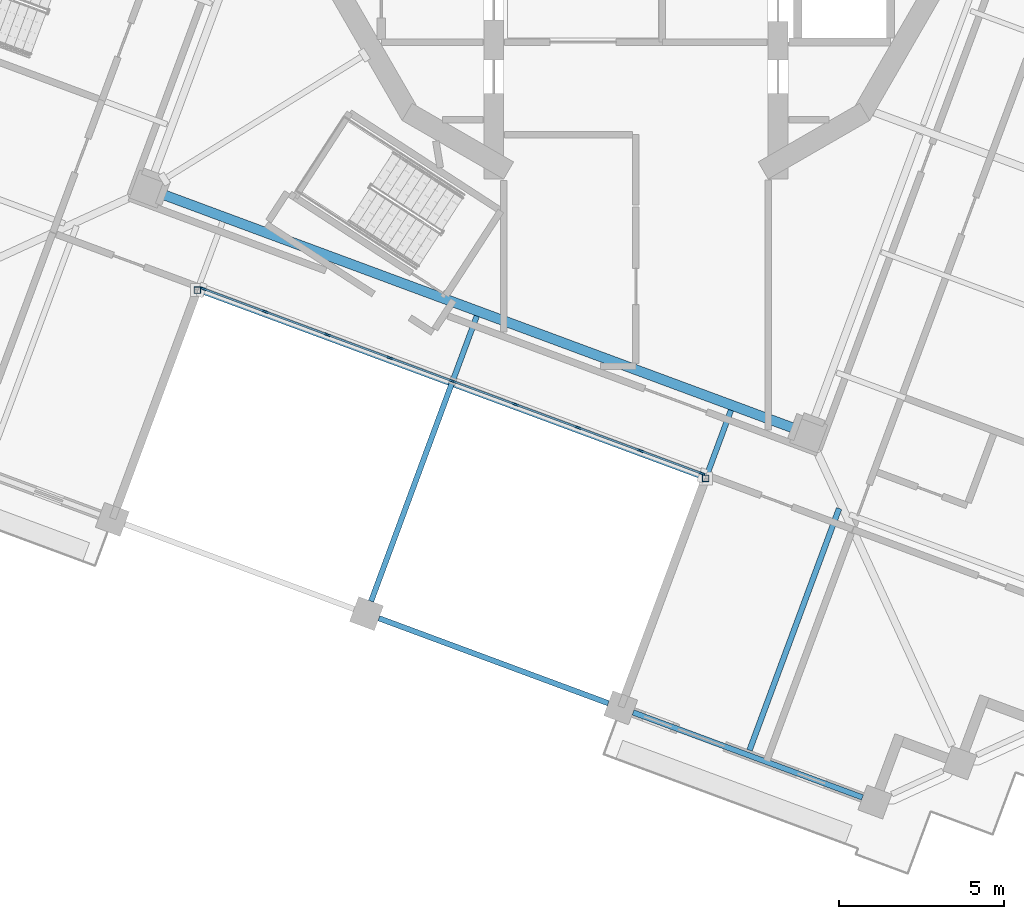
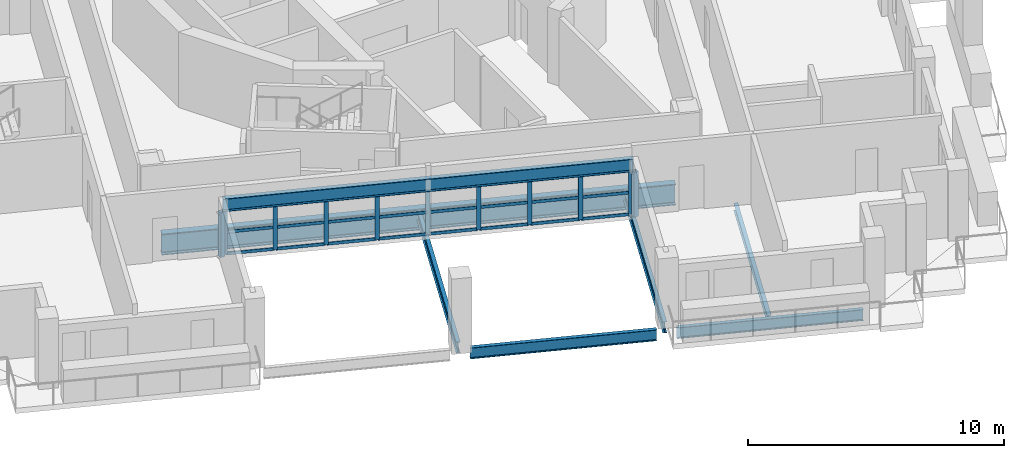
# One storey, part 2 of 19: 35 members, 7 beams, 1 element without a shape of its own.
"""IFC4 building model written with IfcOpenShell, lengths in metres."""

from ifc_helpers import new_model, si_unit, direction, frame, origin, origin_2d, place, context, subcontext, project, spatial, rectangle, hollow_rectangle, i_section, extrude, material, material_profile, profile_set, type_object, element, aggregate, save


model = new_model("IFC4")

# Units and contexts
model_context = context("Model", 3, precision=1e-05, world=origin(), true_north=direction((0.0, 1.0)))
body_context = subcontext(model_context, "Body", "Model", "MODEL_VIEW")
ifc_project = project(units=[si_unit("LENGTHUNIT", "METRE"), si_unit("AREAUNIT", "SQUARE_METRE"), si_unit("VOLUMEUNIT", "CUBIC_METRE"), si_unit("PLANEANGLEUNIT", "RADIAN"), si_unit("MASSUNIT", "GRAM", prefix="KILO")], contexts=[model_context])

# Site, building, storey
site_placement = place(None, origin())
site = spatial("IfcSite", under=ifc_project, at=site_placement, CompositionType="ELEMENT")
building_placement = place(site_placement, origin())
building = spatial("IfcBuilding", under=site, at=building_placement, Name="Cantera Rosa Tower", CompositionType="ELEMENT")
storey_placement = place(building_placement, frame((0.0, 0.0, 320.5)))
storey = spatial("IfcBuildingStorey", under=building, at=storey_placement, Name="L71", CompositionType="ELEMENT", Elevation=320.5)

# Curtain wall, members
ifc_material_1 = material(Name="Aluminium frame with clear glass", Category="aluminium")
curtain_wall_type = type_object("IfcCurtainWallType", Name="CW1 TERRACE POCKET GLAZING", PredefinedType="NOTDEFINED", material=ifc_material_1)
curtain_wall_placement = place(storey_placement, origin())
curtain_wall = element("IfcCurtainWall", 1, at=curtain_wall_placement, inside=storey, type_object=curtain_wall_type, Name="CW1 CW1", PredefinedType="NOTDEFINED")
ifc_material_2 = material(Name="Anodised bronze aluminium", Category="aluminium")
ifc_material_profile_1 = material_profile(ifc_material_2, rectangle(XDim=0.06005859375, YDim=0.179931640625, at=origin_2d()), Name="CW-MULLION 60x180 POCKET")
ifc_profile_set_1 = profile_set([ifc_material_profile_1], Name="Anodised bronze aluminium")
member_type_1 = type_object("IfcMemberType", Name="CW-MULLION 60x180 POCKET", PredefinedType="MULLION", material=ifc_profile_set_1)
member_1_placement = place(storey_placement, frame((-13.0859375, -12.16064453125, 0.0), z_axis=(0.0, 0.0, 1.0), x_axis=(0.347481234489, 0.937686936924, 0.0)))
member_1 = element("IfcMember", 2, at=member_1_placement, type_object=member_type_1, Name="CW1 mullion 1", PredefinedType="MULLION", context=body_context, shape_type="SweptSolid", body=[
    extrude(rectangle(XDim=0.06005859375, YDim=0.179931640625, at=origin_2d()), origin(), (0.0, 0.0, 1.0), 2.137939453125),
])
member_2_placement = place(storey_placement, frame((-11.22119140625, -12.8515625, 0.0), z_axis=(0.0, 0.0, 1.0), x_axis=(0.347481234489, 0.937686936924, 0.0)))
member_2 = element("IfcMember", 3, at=member_2_placement, type_object=member_type_1, Name="CW1 mullion 2", PredefinedType="MULLION", context=body_context, shape_type="SweptSolid", body=[
    extrude(rectangle(XDim=0.06005859375, YDim=0.179931640625, at=origin_2d()), origin(), (0.0, 0.0, 1.0), 2.137939453125),
])
member_3_placement = place(storey_placement, frame((-9.328125, -13.55322265625, 0.0), z_axis=(0.0, 0.0, 1.0), x_axis=(0.347481234489, 0.937686936924, 0.0)))
member_3 = element("IfcMember", 4, at=member_3_placement, type_object=member_type_1, Name="CW1 mullion 3", PredefinedType="MULLION", context=body_context, shape_type="SweptSolid", body=[
    extrude(rectangle(XDim=0.06005859375, YDim=0.179931640625, at=origin_2d()), origin(), (0.0, 0.0, 1.0), 2.137939453125),
])
member_4_placement = place(storey_placement, frame((-7.435302734375, -14.254638671875, 0.0), z_axis=(0.0, 0.0, 1.0), x_axis=(0.347481234489, 0.937686936924, 0.0)))
member_4 = element("IfcMember", 5, at=member_4_placement, type_object=member_type_1, Name="CW1 mullion 4", PredefinedType="MULLION", context=body_context, shape_type="SweptSolid", body=[
    extrude(rectangle(XDim=0.06005859375, YDim=0.179931640625, at=origin_2d()), origin(), (0.0, 0.0, 1.0), 2.137939453125),
])
member_5_placement = place(storey_placement, frame((-5.542236328125, -14.9560546875, 0.0), z_axis=(0.0, 0.0, 1.0), x_axis=(0.347481234489, 0.937686936924, 0.0)))
member_5 = element("IfcMember", 6, at=member_5_placement, type_object=member_type_1, Name="CW1 mullion 5", PredefinedType="MULLION", context=body_context, shape_type="SweptSolid", body=[
    extrude(rectangle(XDim=0.06005859375, YDim=0.179931640625, at=origin_2d()), origin(), (0.0, 0.0, 1.0), 2.137939453125),
])
member_6_placement = place(storey_placement, frame((-3.6494140625, -15.657470703125, 0.0), z_axis=(0.0, 0.0, 1.0), x_axis=(0.347481234489, 0.937686936924, 0.0)))
member_6 = element("IfcMember", 7, at=member_6_placement, type_object=member_type_1, Name="CW1 mullion 6", PredefinedType="MULLION", context=body_context, shape_type="SweptSolid", body=[
    extrude(rectangle(XDim=0.06005859375, YDim=0.179931640625, at=origin_2d()), origin(), (0.0, 0.0, 1.0), 2.137939453125),
])
member_7_placement = place(storey_placement, frame((-1.75634765625, -16.359130859375, 0.0), z_axis=(0.0, 0.0, 1.0), x_axis=(0.347481234489, 0.937686936924, 0.0)))
member_7 = element("IfcMember", 8, at=member_7_placement, type_object=member_type_1, Name="CW1 mullion 7", PredefinedType="MULLION", context=body_context, shape_type="SweptSolid", body=[
    extrude(rectangle(XDim=0.06005859375, YDim=0.179931640625, at=origin_2d()), origin(), (0.0, 0.0, 1.0), 2.137939453125),
])
member_8_placement = place(storey_placement, frame((0.136474609375, -17.060546875, 0.0), z_axis=(0.0, 0.0, 1.0), x_axis=(0.347481234489, 0.937686936924, 0.0)))
member_8 = element("IfcMember", 9, at=member_8_placement, type_object=member_type_1, Name="CW1 mullion 8", PredefinedType="MULLION", context=body_context, shape_type="SweptSolid", body=[
    extrude(rectangle(XDim=0.06005859375, YDim=0.179931640625, at=origin_2d()), origin(), (0.0, 0.0, 1.0), 2.137939453125),
])
member_9_placement = place(storey_placement, frame((2.00146484375, -17.751708984375, 0.0), z_axis=(0.0, 0.0, 1.0), x_axis=(0.347481234489, 0.937686936924, 0.0)))
member_9 = element("IfcMember", 10, at=member_9_placement, type_object=member_type_1, Name="CW1 mullion 9", PredefinedType="MULLION", context=body_context, shape_type="SweptSolid", body=[
    extrude(rectangle(XDim=0.06005859375, YDim=0.179931640625, at=origin_2d()), origin(), (0.0, 0.0, 1.0), 2.137939453125),
])
ifc_material_3 = material(Name="Anodised bronze aluminium", Category="aluminium")
ifc_material_profile_2 = material_profile(ifc_material_3, rectangle(XDim=0.06005859375, YDim=0.139892578125, at=origin_2d()), Name="CW-TRANSOM 60x140 POCKET")
ifc_profile_set_2 = profile_set([ifc_material_profile_2], Name="Anodised bronze aluminium")
member_type_2 = type_object("IfcMemberType", Name="CW-TRANSOM 60x140 POCKET", PredefinedType="USERDEFINED", material=ifc_profile_set_2)
member_10_placement = place(storey_placement, frame((-13.057861328125, -12.171142578125, 0.030029296875), z_axis=(0.937695308659, -0.347458642315, 0.0), x_axis=(0.347458642315, 0.937695308659, 0.0)))
member_10 = element("IfcMember", 11, at=member_10_placement, type_object=member_type_2, Name="CW1 transom 1.1", ObjectType="TRANSOM", PredefinedType="USERDEFINED", context=body_context, shape_type="SweptSolid", body=[
    extrude(rectangle(XDim=0.06005859375, YDim=0.139892578125, at=origin_2d()), origin(), (0.0, 0.0, 1.0), 1.9287109375),
])
member_11_placement = place(storey_placement, frame((-13.057861328125, -12.171142578125, 1.069091796875), z_axis=(0.937695308659, -0.347458642315, 0.0), x_axis=(0.347458642315, 0.937695308659, 0.0)))
member_11 = element("IfcMember", 12, at=member_11_placement, type_object=member_type_2, Name="CW1 transom 1.2", ObjectType="TRANSOM", PredefinedType="USERDEFINED", context=body_context, shape_type="SweptSolid", body=[
    extrude(rectangle(XDim=0.06005859375, YDim=0.139892578125, at=origin_2d()), origin(), (0.0, 0.0, 1.0), 1.9287109375),
])
member_12_placement = place(storey_placement, frame((-13.057861328125, -12.171142578125, 2.10791015625), z_axis=(0.937695308659, -0.347458642315, 0.0), x_axis=(0.347458642315, 0.937695308659, 0.0)))
member_12 = element("IfcMember", 13, at=member_12_placement, type_object=member_type_2, Name="CW1 transom 1.3", ObjectType="TRANSOM", PredefinedType="USERDEFINED", context=body_context, shape_type="SweptSolid", body=[
    extrude(rectangle(XDim=0.06005859375, YDim=0.139892578125, at=origin_2d()), origin(), (0.0, 0.0, 1.0), 1.9287109375),
])
member_13_placement = place(storey_placement, frame((-11.193115234375, -12.862060546875, 0.030029296875), z_axis=(0.937679580266, -0.347501085974, 0.0), x_axis=(0.347501085974, 0.937679580266, 0.0)))
member_13 = element("IfcMember", 14, at=member_13_placement, type_object=member_type_2, Name="CW1 transom 2.1", ObjectType="TRANSOM", PredefinedType="USERDEFINED", context=body_context, shape_type="SweptSolid", body=[
    extrude(rectangle(XDim=0.06005859375, YDim=0.139892578125, at=origin_2d()), origin(), (0.0, 0.0, 1.0), 1.958740234375),
])
member_14_placement = place(storey_placement, frame((-11.193115234375, -12.862060546875, 1.069091796875), z_axis=(0.937679580266, -0.347501085974, 0.0), x_axis=(0.347501085974, 0.937679580266, 0.0)))
member_14 = element("IfcMember", 15, at=member_14_placement, type_object=member_type_2, Name="CW1 transom 2.2", ObjectType="TRANSOM", PredefinedType="USERDEFINED", context=body_context, shape_type="SweptSolid", body=[
    extrude(rectangle(XDim=0.06005859375, YDim=0.139892578125, at=origin_2d()), origin(), (0.0, 0.0, 1.0), 1.958740234375),
])
member_15_placement = place(storey_placement, frame((-11.193115234375, -12.862060546875, 2.10791015625), z_axis=(0.937679580266, -0.347501085974, 0.0), x_axis=(0.347501085974, 0.937679580266, 0.0)))
member_15 = element("IfcMember", 16, at=member_15_placement, type_object=member_type_2, Name="CW1 transom 2.3", ObjectType="TRANSOM", PredefinedType="USERDEFINED", context=body_context, shape_type="SweptSolid", body=[
    extrude(rectangle(XDim=0.06005859375, YDim=0.139892578125, at=origin_2d()), origin(), (0.0, 0.0, 1.0), 1.958740234375),
])
member_16_placement = place(storey_placement, frame((-9.300048828125, -13.5634765625, 0.030029296875), z_axis=(0.937679580266, -0.347501085974, 0.0), x_axis=(0.347501085974, 0.937679580266, 0.0)))
member_16 = element("IfcMember", 17, at=member_16_placement, type_object=member_type_2, Name="CW1 transom 3.1", ObjectType="TRANSOM", PredefinedType="USERDEFINED", context=body_context, shape_type="SweptSolid", body=[
    extrude(rectangle(XDim=0.06005859375, YDim=0.139892578125, at=origin_2d()), origin(), (0.0, 0.0, 1.0), 1.958740234375),
])
member_17_placement = place(storey_placement, frame((-9.300048828125, -13.5634765625, 1.069091796875), z_axis=(0.937679580266, -0.347501085974, 0.0), x_axis=(0.347501085974, 0.937679580266, 0.0)))
member_17 = element("IfcMember", 18, at=member_17_placement, type_object=member_type_2, Name="CW1 transom 3.2", ObjectType="TRANSOM", PredefinedType="USERDEFINED", context=body_context, shape_type="SweptSolid", body=[
    extrude(rectangle(XDim=0.06005859375, YDim=0.139892578125, at=origin_2d()), origin(), (0.0, 0.0, 1.0), 1.958740234375),
])
member_18_placement = place(storey_placement, frame((-9.300048828125, -13.5634765625, 2.10791015625), z_axis=(0.937679580266, -0.347501085974, 0.0), x_axis=(0.347501085974, 0.937679580266, 0.0)))
member_18 = element("IfcMember", 19, at=member_18_placement, type_object=member_type_2, Name="CW1 transom 3.3", ObjectType="TRANSOM", PredefinedType="USERDEFINED", context=body_context, shape_type="SweptSolid", body=[
    extrude(rectangle(XDim=0.06005859375, YDim=0.139892578125, at=origin_2d()), origin(), (0.0, 0.0, 1.0), 1.958740234375),
])
member_19_placement = place(storey_placement, frame((-7.4072265625, -14.26513671875, 0.030029296875), z_axis=(0.937679580266, -0.347501085974, 0.0), x_axis=(0.347501085974, 0.937679580266, 0.0)))
member_19 = element("IfcMember", 20, at=member_19_placement, type_object=member_type_2, Name="CW1 transom 4.1", ObjectType="TRANSOM", PredefinedType="USERDEFINED", context=body_context, shape_type="SweptSolid", body=[
    extrude(rectangle(XDim=0.06005859375, YDim=0.139892578125, at=origin_2d()), origin(), (0.0, 0.0, 1.0), 1.958740234375),
])
member_20_placement = place(storey_placement, frame((-7.4072265625, -14.26513671875, 1.069091796875), z_axis=(0.937679580266, -0.347501085974, 0.0), x_axis=(0.347501085974, 0.937679580266, 0.0)))
member_20 = element("IfcMember", 21, at=member_20_placement, type_object=member_type_2, Name="CW1 transom 4.2", ObjectType="TRANSOM", PredefinedType="USERDEFINED", context=body_context, shape_type="SweptSolid", body=[
    extrude(rectangle(XDim=0.06005859375, YDim=0.139892578125, at=origin_2d()), origin(), (0.0, 0.0, 1.0), 1.958740234375),
])
member_21_placement = place(storey_placement, frame((-7.4072265625, -14.26513671875, 2.10791015625), z_axis=(0.937679580266, -0.347501085974, 0.0), x_axis=(0.347501085974, 0.937679580266, 0.0)))
member_21 = element("IfcMember", 22, at=member_21_placement, type_object=member_type_2, Name="CW1 transom 4.3", ObjectType="TRANSOM", PredefinedType="USERDEFINED", context=body_context, shape_type="SweptSolid", body=[
    extrude(rectangle(XDim=0.06005859375, YDim=0.139892578125, at=origin_2d()), origin(), (0.0, 0.0, 1.0), 1.958740234375),
])
member_22_placement = place(storey_placement, frame((-5.51416015625, -14.966552734375, 0.030029296875), z_axis=(0.937679580266, -0.347501085974, 0.0), x_axis=(0.347501085974, 0.937679580266, 0.0)))
member_22 = element("IfcMember", 23, at=member_22_placement, type_object=member_type_2, Name="CW1 transom 5.1", ObjectType="TRANSOM", PredefinedType="USERDEFINED", context=body_context, shape_type="SweptSolid", body=[
    extrude(rectangle(XDim=0.06005859375, YDim=0.139892578125, at=origin_2d()), origin(), (0.0, 0.0, 1.0), 1.958740234375),
])
member_23_placement = place(storey_placement, frame((-5.51416015625, -14.966552734375, 1.069091796875), z_axis=(0.937679580266, -0.347501085974, 0.0), x_axis=(0.347501085974, 0.937679580266, 0.0)))
member_23 = element("IfcMember", 24, at=member_23_placement, type_object=member_type_2, Name="CW1 transom 5.2", ObjectType="TRANSOM", PredefinedType="USERDEFINED", context=body_context, shape_type="SweptSolid", body=[
    extrude(rectangle(XDim=0.06005859375, YDim=0.139892578125, at=origin_2d()), origin(), (0.0, 0.0, 1.0), 1.958740234375),
])
member_24_placement = place(storey_placement, frame((-5.51416015625, -14.966552734375, 2.10791015625), z_axis=(0.937679580266, -0.347501085974, 0.0), x_axis=(0.347501085974, 0.937679580266, 0.0)))
member_24 = element("IfcMember", 25, at=member_24_placement, type_object=member_type_2, Name="CW1 transom 5.3", ObjectType="TRANSOM", PredefinedType="USERDEFINED", context=body_context, shape_type="SweptSolid", body=[
    extrude(rectangle(XDim=0.06005859375, YDim=0.139892578125, at=origin_2d()), origin(), (0.0, 0.0, 1.0), 1.958740234375),
])
member_25_placement = place(storey_placement, frame((-3.621337890625, -15.66796875, 0.030029296875), z_axis=(0.937694628987, -0.347460476557, 0.0), x_axis=(0.347460476557, 0.937694628987, 0.0)))
member_25 = element("IfcMember", 26, at=member_25_placement, type_object=member_type_2, Name="CW1 transom 6.1", ObjectType="TRANSOM", PredefinedType="USERDEFINED", context=body_context, shape_type="SweptSolid", body=[
    extrude(rectangle(XDim=0.06005859375, YDim=0.139892578125, at=origin_2d()), origin(), (0.0, 0.0, 1.0), 1.958984375),
])
member_26_placement = place(storey_placement, frame((-3.621337890625, -15.66796875, 1.069091796875), z_axis=(0.937694628987, -0.347460476557, 0.0), x_axis=(0.347460476557, 0.937694628987, 0.0)))
member_26 = element("IfcMember", 27, at=member_26_placement, type_object=member_type_2, Name="CW1 transom 6.2", ObjectType="TRANSOM", PredefinedType="USERDEFINED", context=body_context, shape_type="SweptSolid", body=[
    extrude(rectangle(XDim=0.06005859375, YDim=0.139892578125, at=origin_2d()), origin(), (0.0, 0.0, 1.0), 1.958984375),
])
member_27_placement = place(storey_placement, frame((-3.621337890625, -15.66796875, 2.10791015625), z_axis=(0.937694628987, -0.347460476557, 0.0), x_axis=(0.347460476557, 0.937694628987, 0.0)))
member_27 = element("IfcMember", 28, at=member_27_placement, type_object=member_type_2, Name="CW1 transom 6.3", ObjectType="TRANSOM", PredefinedType="USERDEFINED", context=body_context, shape_type="SweptSolid", body=[
    extrude(rectangle(XDim=0.06005859375, YDim=0.139892578125, at=origin_2d()), origin(), (0.0, 0.0, 1.0), 1.958984375),
])
member_28_placement = place(storey_placement, frame((-1.728271484375, -16.369384765625, 0.030029296875), z_axis=(0.937679580266, -0.347501085974, 0.0), x_axis=(0.347501085974, 0.937679580266, 0.0)))
member_28 = element("IfcMember", 29, at=member_28_placement, type_object=member_type_2, Name="CW1 transom 7.1", ObjectType="TRANSOM", PredefinedType="USERDEFINED", context=body_context, shape_type="SweptSolid", body=[
    extrude(rectangle(XDim=0.06005859375, YDim=0.139892578125, at=origin_2d()), origin(), (0.0, 0.0, 1.0), 1.958740234375),
])
member_29_placement = place(storey_placement, frame((-1.728271484375, -16.369384765625, 1.069091796875), z_axis=(0.937679580266, -0.347501085974, 0.0), x_axis=(0.347501085974, 0.937679580266, 0.0)))
member_29 = element("IfcMember", 30, at=member_29_placement, type_object=member_type_2, Name="CW1 transom 7.2", ObjectType="TRANSOM", PredefinedType="USERDEFINED", context=body_context, shape_type="SweptSolid", body=[
    extrude(rectangle(XDim=0.06005859375, YDim=0.139892578125, at=origin_2d()), origin(), (0.0, 0.0, 1.0), 1.958740234375),
])
member_30_placement = place(storey_placement, frame((-1.728271484375, -16.369384765625, 2.10791015625), z_axis=(0.937679580266, -0.347501085974, 0.0), x_axis=(0.347501085974, 0.937679580266, 0.0)))
member_30 = element("IfcMember", 31, at=member_30_placement, type_object=member_type_2, Name="CW1 transom 7.3", ObjectType="TRANSOM", PredefinedType="USERDEFINED", context=body_context, shape_type="SweptSolid", body=[
    extrude(rectangle(XDim=0.06005859375, YDim=0.139892578125, at=origin_2d()), origin(), (0.0, 0.0, 1.0), 1.958740234375),
])
member_31_placement = place(storey_placement, frame((0.16455078125, -17.071044921875, 0.030029296875), z_axis=(0.937695308659, -0.347458642315, 0.0), x_axis=(0.347458642315, 0.937695308659, 0.0)))
member_31 = element("IfcMember", 32, at=member_31_placement, type_object=member_type_2, Name="CW1 transom 8.1", ObjectType="TRANSOM", PredefinedType="USERDEFINED", context=body_context, shape_type="SweptSolid", body=[
    extrude(rectangle(XDim=0.06005859375, YDim=0.139892578125, at=origin_2d()), origin(), (0.0, 0.0, 1.0), 1.9287109375),
])
member_32_placement = place(storey_placement, frame((0.16455078125, -17.071044921875, 1.069091796875), z_axis=(0.937695308659, -0.347458642315, 0.0), x_axis=(0.347458642315, 0.937695308659, 0.0)))
member_32 = element("IfcMember", 33, at=member_32_placement, type_object=member_type_2, Name="CW1 transom 8.2", ObjectType="TRANSOM", PredefinedType="USERDEFINED", context=body_context, shape_type="SweptSolid", body=[
    extrude(rectangle(XDim=0.06005859375, YDim=0.139892578125, at=origin_2d()), origin(), (0.0, 0.0, 1.0), 1.9287109375),
])
member_33_placement = place(storey_placement, frame((0.16455078125, -17.071044921875, 2.10791015625), z_axis=(0.937695308659, -0.347458642315, 0.0), x_axis=(0.347458642315, 0.937695308659, 0.0)))
member_33 = element("IfcMember", 34, at=member_33_placement, type_object=member_type_2, Name="CW1 transom 8.3", ObjectType="TRANSOM", PredefinedType="USERDEFINED", context=body_context, shape_type="SweptSolid", body=[
    extrude(rectangle(XDim=0.06005859375, YDim=0.139892578125, at=origin_2d()), origin(), (0.0, 0.0, 1.0), 1.9287109375),
])
aggregate(curtain_wall, [member_1, member_2, member_3, member_4, member_5, member_6, member_7, member_8, member_9, member_10, member_11, member_12, member_13, member_14, member_15, member_16, member_17, member_18, member_19, member_20, member_21, member_22, member_23, member_24, member_25, member_26, member_27, member_28, member_29, member_30, member_31, member_32, member_33])

# Members
ifc_material_4 = material(Name="Steel ASTM A992 (Fy 345 MPa)", Category="steel")
ifc_material_profile_3 = material_profile(ifc_material_4, hollow_rectangle(XDim=0.199951171875, YDim=0.199951171875, WallThickness=0.010009765625, at=origin_2d()), Name="LINTEL POST RHS 200x200x10")
ifc_profile_set_3 = profile_set([ifc_material_profile_3], Name="Steel ASTM A992 (Fy 345 MPa)")
member_type_3 = type_object("IfcMemberType", Name="LINTEL POST RHS 200x200x10", PredefinedType="USERDEFINED", material=ifc_profile_set_3)
for number, where, z_axis, x_axis, name in (
    (35, (-13.26611328125, -12.200439453125, 0.0), (0.0, 0.0, 1.0), (1.0, 0.0, 0.0), "LINTEL POST L71-1"),
    (36, (2.112060546875, -17.899169921875, 0.0), (0.0, 0.0, 1.0), (1.0, 0.0, 0.0), "LINTEL POST L71-2"),
):
    element("IfcMember", number, at=place(storey_placement, frame(where, z_axis=z_axis, x_axis=x_axis)), inside=storey, type_object=member_type_3, Name=name, ObjectType="LINTEL POST", PredefinedType="USERDEFINED", context=body_context, shape_type="SweptSolid", body=[
        extrude(hollow_rectangle(XDim=0.199951171875, YDim=0.199951171875, WallThickness=0.010009765625, at=origin_2d()), origin(), (0.0, 0.0, 1.0), 2.139892578125),
    ])

# Beams
ifc_material_5 = material(Name="Steel ASTM A992 (Fy 345 MPa)", Category="steel")
ifc_material_profile_4 = material_profile(ifc_material_5, i_section(OverallWidth=0.302001953125, OverallDepth=1.010009765625, WebThickness=0.02099609375, FlangeThickness=0.0400390625, FilletRadius=0.030029296875, at=origin_2d()), Name="W1000X350")
ifc_profile_set_4 = profile_set([ifc_material_profile_4], Name="Steel ASTM A992 (Fy 345 MPa)")
beam_type_1 = type_object("IfcBeamType", Name="STEEL BEAM W1000X350", PredefinedType="BEAM", material=ifc_profile_set_4)
beam_1_placement = place(storey_placement, frame((4.803955078125, -16.390625, -0.7548828125), z_axis=(-0.937687392162, 0.347480006017, 0.0), x_axis=(-0.347480006017, -0.937687392162, 0.0)))
element("IfcBeam", 37, at=beam_1_placement, inside=storey, type_object=beam_type_1, Name="RB-Z6-08 L71", PredefinedType="BEAM", context=body_context, shape_type="SweptSolid", body=[
    extrude(i_section(OverallWidth=0.302001953125, OverallDepth=1.010009765625, WebThickness=0.02099609375, FlangeThickness=0.0400390625, FilletRadius=0.030029296875, at=origin_2d()), origin(), (0.0, 0.0, 1.0), 20.400146484375),
])
ifc_material_6 = material(Name="Steel ASTM A992 (Fy 345 MPa)", Category="steel")
ifc_material_profile_5 = material_profile(ifc_material_6, i_section(OverallWidth=0.166015625, OverallDepth=0.528076171875, WebThickness=0.009765625, FlangeThickness=0.013671875, FilletRadius=0.0126953125, at=origin_2d()), Name="W530X74")
ifc_profile_set_5 = profile_set([ifc_material_profile_5], Name="Steel ASTM A992 (Fy 345 MPa)")
beam_type_2 = type_object("IfcBeamType", Name="STEEL BEAM W530X74", PredefinedType="BEAM", material=ifc_profile_set_5)
for number, where, z_axis, x_axis, name in (
    (38, (-8.009521484375, -21.61376953125, -0.513916015625), (0.34750017104, 0.937679919337, 0.0), (-0.937679919337, 0.34750017104, 0.0), "G-Z6-13 L71"),
    (39, (-0.3203125, -24.463134765625, -0.513916015625), (0.347476838353, 0.937688566, 0.0), (-0.937688566, 0.347476838353, 0.0), "G-Z6-14 L71"),
):
    element("IfcBeam", number, at=place(storey_placement, frame(where, z_axis=z_axis, x_axis=x_axis)), inside=storey, type_object=beam_type_2, Name=name, PredefinedType="BEAM", context=body_context, shape_type="SweptSolid", body=[
        extrude(i_section(OverallWidth=0.166015625, OverallDepth=0.528076171875, WebThickness=0.009765625, FlangeThickness=0.013671875, FilletRadius=0.0126953125, at=origin_2d()), origin(), (0.0, 0.0, 1.0), 9.199951171875),
    ])
ifc_material_7 = material(Name="Steel ASTM A992 (Fy 345 MPa)", Category="steel")
ifc_material_profile_6 = material_profile(ifc_material_7, i_section(OverallWidth=0.22802734375, OverallDepth=0.60205078125, WebThickness=0.010498046875, FlangeThickness=0.014892578125, FilletRadius=0.0126953125, at=origin_2d()), Name="W610X101")
ifc_profile_set_6 = profile_set([ifc_material_profile_6], Name="Steel ASTM A992 (Fy 345 MPa)")
beam_type_3 = type_object("IfcBeamType", Name="STEEL BEAM W610X101", PredefinedType="BEAM", material=ifc_profile_set_6)
beam_2_placement = place(storey_placement, frame((-13.201904296875, -12.1708984375, 2.44091796875), z_axis=(0.937685509573, -0.347485086209, 0.0), x_axis=(0.347485086209, 0.937685509573, 0.0)))
element("IfcBeam", 40, at=beam_2_placement, inside=storey, type_object=beam_type_3, Name="LINTEL SL-L71", PredefinedType="BEAM", context=body_context, shape_type="SweptSolid", body=[
    extrude(i_section(OverallWidth=0.22802734375, OverallDepth=0.60205078125, WebThickness=0.010498046875, FlangeThickness=0.014892578125, FilletRadius=0.0126953125, at=origin_2d()), origin(), (0.0, 0.0, 1.0), 16.300048828125),
])
ifc_material_8 = material(Name="Steel ASTM A992 (Fy 345 MPa)", Category="steel")
ifc_material_profile_7 = material_profile(ifc_material_8, i_section(OverallWidth=0.1708984375, OverallDepth=0.35595703125, WebThickness=0.00732421875, FlangeThickness=0.01171875, FilletRadius=0.010009765625, at=origin_2d()), Name="W360X51")
ifc_profile_set_7 = profile_set([ifc_material_profile_7], Name="Steel ASTM A992 (Fy 345 MPa)")
beam_type_4 = type_object("IfcBeamType", Name="STEEL JOIST W360X51", PredefinedType="JOIST", material=ifc_profile_set_7)
beam_3_placement = place(storey_placement, frame((3.437255859375, -26.1220703125, -0.427978515625), z_axis=(0.347491728417, 0.937683048093, 0.0), x_axis=(-0.937683048093, 0.347491728417, 0.0)))
element("IfcBeam", 41, at=beam_3_placement, inside=storey, type_object=beam_type_4, Name="B-Z6-18 L71", PredefinedType="JOIST", context=body_context, shape_type="SweptSolid", body=[
    extrude(i_section(OverallWidth=0.1708984375, OverallDepth=0.35595703125, WebThickness=0.00732421875, FlangeThickness=0.01171875, FilletRadius=0.010009765625, at=origin_2d()), origin(), (0.0, 0.0, 1.0), 7.800048828125),
])
ifc_material_9 = material(Name="Steel ASTM A992 (Fy 345 MPa)", Category="steel")
ifc_material_profile_8 = material_profile(ifc_material_9, i_section(OverallWidth=0.166015625, OverallDepth=0.528076171875, WebThickness=0.009765625, FlangeThickness=0.013671875, FilletRadius=0.0126953125, at=origin_2d()), Name="W530X74")
ifc_profile_set_8 = profile_set([ifc_material_profile_8], Name="Steel ASTM A992 (Fy 345 MPa)")
beam_type_5 = type_object("IfcBeamType", Name="STEEL SPANDREL BEAM W530X74", PredefinedType="SPANDREL", material=ifc_profile_set_8)
beam_4_placement = place(storey_placement, frame((-7.7734375, -22.127685546875, -0.513916015625), z_axis=(0.937680690562, -0.34749808999, 0.0), x_axis=(0.34749808999, 0.937680690562, 0.0)))
element("IfcBeam", 42, at=beam_4_placement, inside=storey, type_object=beam_type_5, Name="EB-Z6-16 L71", PredefinedType="SPANDREL", context=body_context, shape_type="SweptSolid", body=[
    extrude(i_section(OverallWidth=0.166015625, OverallDepth=0.528076171875, WebThickness=0.009765625, FlangeThickness=0.013671875, FilletRadius=0.0126953125, at=origin_2d()), origin(), (0.0, 0.0, 1.0), 7.400146484375),
])
beam_5_placement = place(storey_placement, frame((-0.084228515625, -24.97705078125, -0.513916015625), z_axis=(0.937687456783, -0.347479831633, 0.0), x_axis=(0.347479831633, 0.937687456783, 0.0)))
element("IfcBeam", 43, at=beam_5_placement, inside=storey, type_object=beam_type_5, Name="EB-Z6-17 L71", PredefinedType="SPANDREL", context=body_context, shape_type="SweptSolid", body=[
    extrude(i_section(OverallWidth=0.166015625, OverallDepth=0.528076171875, WebThickness=0.009765625, FlangeThickness=0.013671875, FilletRadius=0.0126953125, at=origin_2d()), origin(), (0.0, 0.0, 1.0), 7.39990234375),
])

save(model, "model.ifc")
